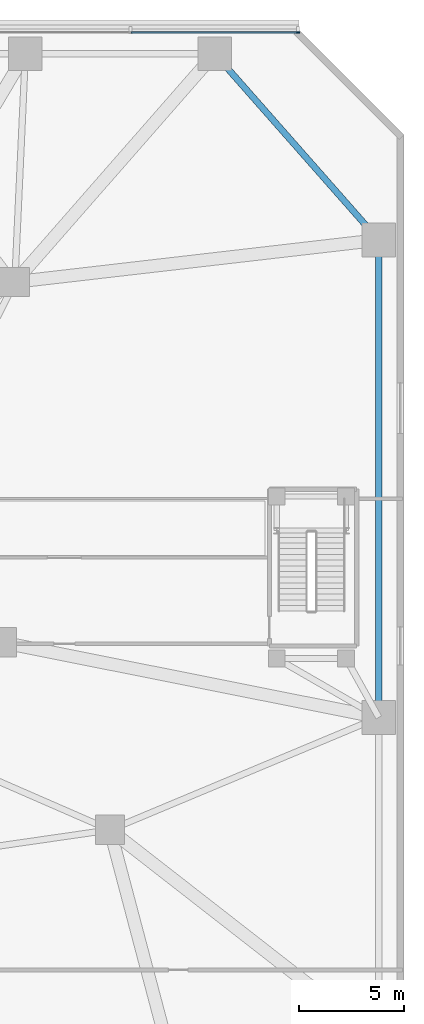
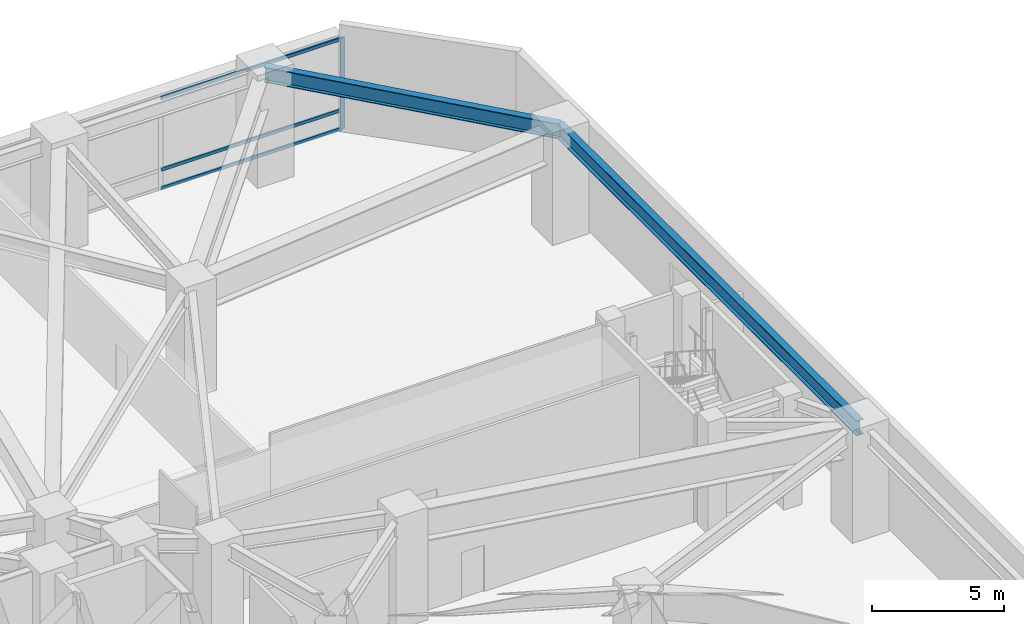
# One storey, part 13 of 27: 4 members, 2 beams, 1 element without a shape of its own.
"""IFC4 building model written with IfcOpenShell, lengths in metres."""

from ifc_helpers import new_model, si_unit, direction, frame, origin, origin_2d, place, context, subcontext, project, spatial, rectangle, i_section, extrude, material, layer, layer_set, material_profile, profile_set, type_object, element, aggregate, save


model = new_model("IFC4")

# Units and contexts
model_context = context("Model", 3, precision=1e-05, world=origin(), true_north=direction((0.0, 1.0)))
body_context = subcontext(model_context, "Body", "Model", "MODEL_VIEW")
ifc_project = project(units=[si_unit("LENGTHUNIT", "METRE"), si_unit("AREAUNIT", "SQUARE_METRE"), si_unit("VOLUMEUNIT", "CUBIC_METRE"), si_unit("PLANEANGLEUNIT", "RADIAN"), si_unit("MASSUNIT", "GRAM", prefix="KILO")], contexts=[model_context])

# Site, building, storey
site_placement = place(None, origin())
site = spatial("IfcSite", under=ifc_project, at=site_placement, CompositionType="ELEMENT")
building_placement = place(site_placement, origin())
building = spatial("IfcBuilding", under=site, at=building_placement, Name="Terralouvre Media Tower", CompositionType="ELEMENT")
storey_placement = place(building_placement, frame((0.0, 0.0, 5.199951171875)))
storey = spatial("IfcBuildingStorey", under=building, at=storey_placement, Name="L01", CompositionType="ELEMENT", Elevation=5.199951171875)

# Curtain wall, members
ifc_material_1 = material(Name="Low-iron laminated double glazing with solar-control coating", Category="glass")
ifc_layer = layer(ifc_material_1, 0.1650390625, Name="Podium Broadcast Gallery Glazing CW-01")
ifc_layer_set = layer_set([ifc_layer], Name="Low-iron laminated double glazing with solar-control coating")
curtain_wall_type = type_object("IfcCurtainWallType", Name="Podium Broadcast Gallery Glazing CW-01", PredefinedType="NOTDEFINED", material=ifc_layer_set)
curtain_wall_placement = place(storey_placement, origin())
curtain_wall = element("IfcCurtainWall", 1, at=curtain_wall_placement, inside=storey, type_object=curtain_wall_type, Name="L01 Podium Curtain Wall F4", PredefinedType="NOTDEFINED")
ifc_material_2 = material(Name="Anodised extruded aluminium 6063-T6", Category="aluminium")
ifc_material_profile_1 = material_profile(ifc_material_2, rectangle(XDim=0.074951171875, YDim=0.14990234375, at=origin_2d()), Name="ALU 75x150")
ifc_profile_set_1 = profile_set([ifc_material_profile_1], Name="Anodised extruded aluminium 6063-T6")
member_type_1 = type_object("IfcMemberType", Name="Curtain-Wall Horizontal Transom TR-150", PredefinedType="USERDEFINED", material=ifc_profile_set_1)
member_1_placement = place(storey_placement, frame((31.925048828125, 33.360107421875, 0.03759765625), z_axis=(-1.0, 0.0, 0.0), x_axis=(0.0, -1.0, 0.0)))
member_1 = element("IfcMember", 2, at=member_1_placement, type_object=member_type_1, Name="CW-01 transom 1.1", ObjectType="TRANSOM", PredefinedType="USERDEFINED", context=body_context, shape_type="SweptSolid", body=[
    extrude(rectangle(XDim=0.074951171875, YDim=0.14990234375, at=origin_2d()), origin(), (0.0, 0.0, 1.0), 7.887451171875),
])
member_2_placement = place(storey_placement, frame((31.925048828125, 33.360107421875, 0.900146484375), z_axis=(-1.0, 0.0, 0.0), x_axis=(0.0, -1.0, 0.0)))
member_2 = element("IfcMember", 3, at=member_2_placement, type_object=member_type_1, Name="CW-01 transom 1.2", ObjectType="TRANSOM", PredefinedType="USERDEFINED", context=body_context, shape_type="SweptSolid", body=[
    extrude(rectangle(XDim=0.074951171875, YDim=0.14990234375, at=origin_2d()), origin(), (0.0, 0.0, 1.0), 7.887451171875),
])
member_3_placement = place(storey_placement, frame((31.925048828125, 33.360107421875, 4.192626953125), z_axis=(-1.0, 0.0, 0.0), x_axis=(0.0, -1.0, 0.0)))
member_3 = element("IfcMember", 4, at=member_3_placement, type_object=member_type_1, Name="CW-01 transom 1.3", ObjectType="TRANSOM", PredefinedType="USERDEFINED", context=body_context, shape_type="SweptSolid", body=[
    extrude(rectangle(XDim=0.074951171875, YDim=0.14990234375, at=origin_2d()), origin(), (0.0, 0.0, 1.0), 7.887451171875),
])
ifc_material_3 = material(Name="Anodised extruded aluminium 6063-T6", Category="aluminium")
ifc_material_profile_2 = material_profile(ifc_material_3, rectangle(XDim=0.074951171875, YDim=0.179931640625, at=origin_2d()), Name="ALU 75x180")
ifc_profile_set_2 = profile_set([ifc_material_profile_2], Name="Anodised extruded aluminium 6063-T6")
member_type_2 = type_object("IfcMemberType", Name="Curtain-Wall Vertical Mullion ML-180", PredefinedType="MULLION", material=ifc_profile_set_2)
member_4_placement = place(storey_placement, frame((31.96240234375, 33.360107421875, 0.0), z_axis=(0.0, 0.0, 1.0), x_axis=(0.0, -1.0, 0.0)))
member_4 = element("IfcMember", 5, at=member_4_placement, type_object=member_type_2, Name="CW-01 mullion 1", PredefinedType="MULLION", context=body_context, shape_type="SweptSolid", body=[
    extrude(rectangle(XDim=0.074951171875, YDim=0.179931640625, at=origin_2d()), origin(), (0.0, 0.0, 1.0), 4.22998046875),
])
aggregate(curtain_wall, [member_4, member_1, member_2, member_3])

# Beams
ifc_material_4 = material(Name="Structural steel S460M", Category="steel")
ifc_material_profile_3 = material_profile(ifc_material_4, i_section(OverallWidth=0.300048828125, OverallDepth=0.699951171875, WebThickness=0.01708984375, FlangeThickness=0.031982421875, at=origin_2d()), Name="HEB 700")
ifc_profile_set_3 = profile_set([ifc_material_profile_3], Name="Structural steel S460M")
beam_type = type_object("IfcBeamType", Name="Primary Floor Girder B-HEB700 (HEB 700)", PredefinedType="BEAM", material=ifc_profile_set_3)
beam_1_placement = place(storey_placement, frame((35.800048828125, 0.800048828125, 4.60009765625), z_axis=(0.0, 1.0, 0.0), x_axis=(-1.0, 0.0, 0.0)))
element("IfcBeam", 6, at=beam_1_placement, inside=storey, type_object=beam_type, Name="L01 Framing Beam BM-L01-PR09", PredefinedType="BEAM", context=body_context, shape_type="SweptSolid", body=[
    extrude(i_section(OverallWidth=0.300048828125, OverallDepth=0.699951171875, WebThickness=0.01708984375, FlangeThickness=0.031982421875, at=origin_2d()), origin(), (0.0, 0.0, 1.0), 22.699951171875),
])
beam_2_placement = place(storey_placement, frame((35.800048828125, 23.5, 4.60009765625), z_axis=(-0.661199207896, 0.75021037548, 0.0), x_axis=(-0.75021037548, -0.661199207896, 0.0)))
element("IfcBeam", 7, at=beam_2_placement, inside=storey, type_object=beam_type, Name="L01 Framing Beam BM-L01-PR10", PredefinedType="BEAM", context=body_context, shape_type="SweptSolid", body=[
    extrude(i_section(OverallWidth=0.300048828125, OverallDepth=0.699951171875, WebThickness=0.01708984375, FlangeThickness=0.031982421875, at=origin_2d()), origin(), (0.0, 0.0, 1.0), 11.796875),
])

save(model, "model.ifc")
